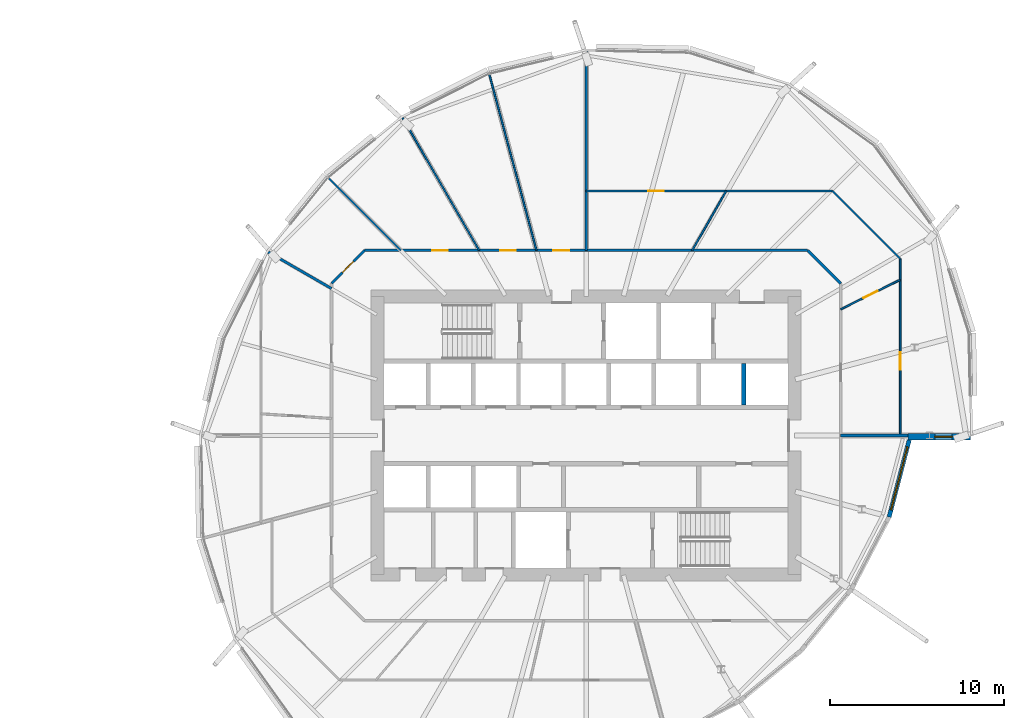
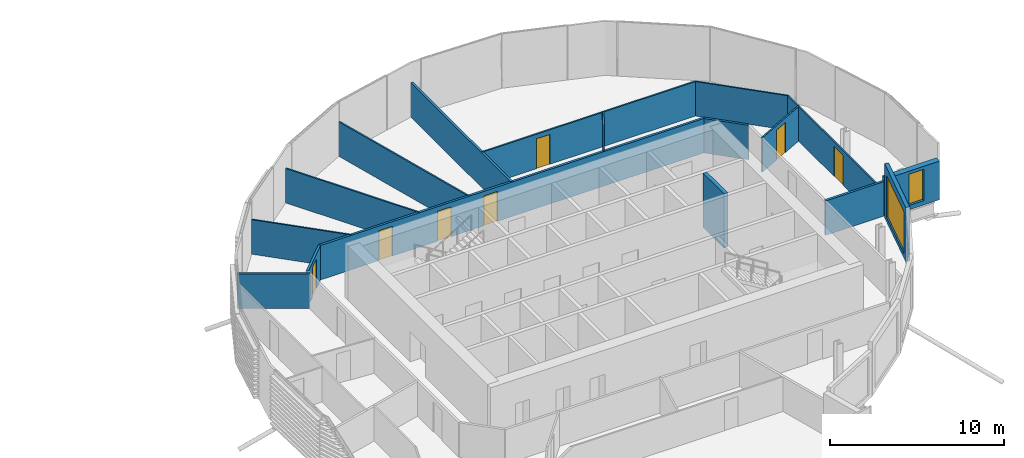
# One storey, part 25 of 39: 17 walls, 7 doors, 2 windows, 9 openings.
"""IFC4 building model written with IfcOpenShell, lengths in metres."""

import ifcopenshell
import ifcopenshell.guid

model = None  # the IFC model being written
_history = None  # IfcOwnerHistory: only IFC2X3 demands one
_inside = {}  # id of a spatial element -> (the spatial element, [elements in it])
_under = {}  # id of a project, library or spatial element -> (it, [spatial elements below it])
_declared = {}  # id of a project -> (the project, [libraries it declares])
_typed = {}  # id of a type object -> (the type object, [elements of that type])
_made_of = {}  # id of a material, layer set ... -> (it, [elements and type objects made of it])


def new_model(schema):
    """Start an empty IFC model of exactly this schema.

    Asked for "IFC4X3", IfcOpenShell would pick the latest addendum, in which some entities
    have other attributes; the version numbers below select the first issue.
    IFC2X3 requires an IfcOwnerHistory on every rooted entity: one is made here for all.
    """
    global model, _history
    if schema == "IFC4X3":
        model = ifcopenshell.file(schema_version=(4, 3, 0, 0))
    else:
        model = ifcopenshell.file(schema=schema)
    _inside.clear()
    _under.clear()
    _declared.clear()
    _typed.clear()
    _made_of.clear()
    _history = None
    if model.schema == "IFC2X3":
        org = make("IfcOrganization", Name="unknown")
        user = make(
            "IfcPersonAndOrganization",
            ThePerson=make("IfcPerson", FamilyName="unknown"),
            TheOrganization=org,
        )
        app = make(
            "IfcApplication",
            ApplicationDeveloper=org,
            Version="unknown",
            ApplicationFullName="unknown",
            ApplicationIdentifier="unknown",
        )
        _history = make(
            "IfcOwnerHistory",
            OwningUser=user,
            OwningApplication=app,
            ChangeAction="ADDED",
            CreationDate=0,
        )
    return model


def make(cls, **values):
    """One entity of the class cls with the attributes given. An attribute that is None is left unset."""
    return model.create_entity(
        cls, **{name: value for name, value in values.items() if value is not None}
    )


def rooted(cls, **values):
    """An entity with a GlobalId (a new one), such as an element, a storey or a relation."""
    return make(cls, GlobalId=ifcopenshell.guid.new(), OwnerHistory=_history, **values)


def si_unit(unit_type, name, prefix=None):
    """IfcSIUnit, for example si_unit("LENGTHUNIT", "METRE", prefix="MILLI")."""
    return make("IfcSIUnit", UnitType=unit_type, Prefix=prefix, Name=name)


def assignment(units):
    """IfcUnitAssignment: the units of a project."""
    return None if units is None else make("IfcUnitAssignment", Units=units)


def point(xyz):
    """IfcCartesianPoint."""
    return None if xyz is None else make("IfcCartesianPoint", Coordinates=xyz)


def direction(xyz):
    """IfcDirection."""
    return None if xyz is None else make("IfcDirection", DirectionRatios=xyz)


def frame(location, z_axis=None, x_axis=None):
    """IfcAxis2Placement3D, a coordinate frame: its origin and axes. An axis left out is left unset."""
    return make(
        "IfcAxis2Placement3D",
        Location=point(location),
        Axis=direction(z_axis),
        RefDirection=direction(x_axis),
    )


def frame_2d(location, x_axis=None):
    """IfcAxis2Placement2D, a coordinate frame in the plane: its origin and x axis."""
    return make(
        "IfcAxis2Placement2D", Location=point(location), RefDirection=direction(x_axis)
    )


def origin():
    """The frame at (0, 0, 0) with its axes left unset."""
    return frame((0.0, 0.0, 0.0))


def place(relative_to, where):
    """IfcLocalPlacement: puts the frame where relative to a parent placement (None: the world)."""
    return make(
        "IfcLocalPlacement", PlacementRelTo=relative_to, RelativePlacement=where
    )


def context(
    kind, dimensions, precision=None, world=None, true_north=None, identifier=None
):
    """IfcGeometricRepresentationContext, for example the 3D "Model" context."""
    return make(
        "IfcGeometricRepresentationContext",
        ContextIdentifier=identifier,
        ContextType=kind,
        CoordinateSpaceDimension=dimensions,
        Precision=precision,
        WorldCoordinateSystem=world,
        TrueNorth=true_north,
    )


def subcontext(parent, identifier, kind, view, scale=None):
    """IfcGeometricRepresentationSubContext, for example "Body" below "Model"."""
    return make(
        "IfcGeometricRepresentationSubContext",
        ContextIdentifier=identifier,
        ContextType=kind,
        ParentContext=parent,
        TargetScale=scale,
        TargetView=view,
    )


def project(units=None, contexts=None):
    """IfcProject with its units and contexts."""
    return rooted(
        "IfcProject",
        Name="project",
        RepresentationContexts=contexts,
        UnitsInContext=assignment(units),
    )


def spatial(cls, under=None, at=None, **own):
    """A site, building, storey or space (cls), placed at a placement, below another one or the project."""
    s = rooted(cls, ObjectPlacement=at, **own)
    if under is not None:
        _under.setdefault(under.id(), (under, []))[1].append(s)
    return s


def profile(cls, at=None, kind="AREA", **sizes):
    """A parametric profile (cls). Its sizes go by their IFC names, for example OverallWidth=200.0."""
    return make(cls, ProfileType=kind, Position=at, **sizes)


def rectangle(**sizes):
    """IfcRectangleProfileDef."""
    return profile("IfcRectangleProfileDef", **sizes)


def extrude(swept, where, along, depth):
    """IfcExtrudedAreaSolid: the profile swept, set in the frame where, extruded along a direction by depth."""
    return make(
        "IfcExtrudedAreaSolid",
        SweptArea=swept,
        Position=where,
        ExtrudedDirection=direction(along),
        Depth=depth,
    )


def shape(context_of_items, identifier, shape_type, items):
    """IfcShapeRepresentation: the items that make up one representation, for example the "Body"."""
    return make(
        "IfcShapeRepresentation",
        ContextOfItems=context_of_items,
        RepresentationIdentifier=identifier,
        RepresentationType=shape_type,
        Items=items,
    )


def material(Name=None, Category=None):
    """IfcMaterial."""
    return make("IfcMaterial", Name=Name, Category=Category)


def layer(
    of_material, thickness, ventilated=None, Name=None, Category=None, Priority=None
):
    """IfcMaterialLayer: one layer of a wall or slab, of a material (None: an air gap)."""
    return make(
        "IfcMaterialLayer",
        Material=of_material,
        LayerThickness=thickness,
        IsVentilated=ventilated,
        Name=Name,
        Category=Category,
        Priority=Priority,
    )


def layer_set(layers, Name=None):
    """IfcMaterialLayerSet."""
    return make("IfcMaterialLayerSet", MaterialLayers=layers, LayerSetName=Name)


def made_of(thing, what):
    """Note that an element or type object is made of a material, layer set ...; save() writes the relation."""
    if what is not None:
        _made_of.setdefault(what.id(), (what, []))[1].append(thing)
    return thing


def type_object(cls, material=None, **own):
    """A type object (cls), such as IfcWallType, which elements share."""
    return made_of(rooted(cls, **own), material)


def element(
    cls,
    number,
    at=None,
    inside=None,
    cuts=None,
    type_object=None,
    material=None,
    context=None,
    identifier="Body",
    shape_type=None,
    held_by="IfcProductDefinitionShape",
    body=None,
    shapes=None,
    **own,
):
    """One element of the class cls, such as IfcWall. Its Tag is "e" and its number.

    at: its placement. inside: the storey or other place that contains it. cuts: it is an
    opening in that element (IfcRelVoidsElement). A single representation is given by context,
    identifier, shape_type and body (its items); several are given by shapes. held_by: the class
    of the entity that holds the representations. save() writes the other relations.
    """
    e = rooted(cls, Tag="e%d" % number, ObjectPlacement=at, **own)
    if body is not None:
        shapes = [shape(context, identifier, shape_type, body)]
    if shapes is not None:
        e.Representation = make(held_by, Representations=shapes)
    if inside is not None:
        _inside.setdefault(inside.id(), (inside, []))[1].append(e)
    if cuts is not None:
        rooted(
            "IfcRelVoidsElement", RelatingBuildingElement=cuts, RelatedOpeningElement=e
        )
    if type_object is not None:
        _typed.setdefault(type_object.id(), (type_object, []))[1].append(e)
    return made_of(e, material)


def fill(opening, filler):
    """IfcRelFillsElement: the door or window that sits in an opening."""
    return rooted(
        "IfcRelFillsElement",
        RelatingOpeningElement=opening,
        RelatedBuildingElement=filler,
    )


def aggregate(whole, parts):
    """IfcRelAggregates: a whole, such as a stair, and the parts it consists of."""
    return rooted("IfcRelAggregates", RelatingObject=whole, RelatedObjects=parts)


def save(model, path):
    """Write the relations noted so far, then the file.

    IfcRelAggregates (storeys below a building ...), IfcRelContainedInSpatialStructure (elements
    in a storey), IfcRelDefinesByType, IfcRelAssociatesMaterial and IfcRelDeclares: one each for
    every whole, place, type object, material and project.
    """
    for whole, parts in _under.values():
        aggregate(whole, parts)
    for where, things in _inside.values():
        rooted(
            "IfcRelContainedInSpatialStructure",
            RelatedElements=things,
            RelatingStructure=where,
        )
    for kind, things in _typed.values():
        rooted("IfcRelDefinesByType", RelatedObjects=things, RelatingType=kind)
    for what, things in _made_of.values():
        rooted("IfcRelAssociatesMaterial", RelatedObjects=things, RelatingMaterial=what)
    for by, libraries in _declared.values():
        rooted("IfcRelDeclares", RelatingContext=by, RelatedDefinitions=libraries)
    model.write(path)


model = new_model("IFC4")

# Units and contexts
model_context = context("Model", 3, precision=1e-05, world=origin(), true_north=direction((0.0, 1.0)))
body_context = subcontext(model_context, "Body", "Model", "MODEL_VIEW")
ifc_project = project(units=[si_unit("LENGTHUNIT", "METRE"), si_unit("AREAUNIT", "SQUARE_METRE"), si_unit("VOLUMEUNIT", "CUBIC_METRE"), si_unit("PLANEANGLEUNIT", "RADIAN"), si_unit("MASSUNIT", "GRAM", prefix="KILO")], contexts=[model_context])

# Site, building, storey
site_placement = place(None, origin())
site = spatial("IfcSite", under=ifc_project, at=site_placement, CompositionType="ELEMENT")
building_placement = place(site_placement, origin())
building = spatial("IfcBuilding", under=site, at=building_placement, Name="Rimbun Link Towers", CompositionType="ELEMENT")
storey_placement = place(building_placement, frame((0.0, 0.0, 96.800048828125)))
storey = spatial("IfcBuildingStorey", under=building, at=storey_placement, Name="L23", CompositionType="ELEMENT", Elevation=96.800048828125)

# Wall, opening, window
ifc_material_1 = material(Name="Dark enamelled glass spandrel on insulated aluminium backpan", Category="aluminium")
ifc_layer_1 = layer(ifc_material_1, 0.25)
ifc_layer_set_1 = layer_set([ifc_layer_1], Name="CS dark enamelled spandrel wall 250")
wall_type_1 = type_object("IfcWallType", Name="CS dark enamelled spandrel wall 250", PredefinedType="STANDARD", material=ifc_layer_set_1)
wall_1_placement = place(storey_placement, frame((50.343017578125, -0.25, 0.0), z_axis=(0.0, 0.0, 1.0), x_axis=(-0.252335175564, -0.967639891268, 0.0)))
wall_1 = element("IfcWall", 1, at=wall_1_placement, inside=storey, type_object=wall_type_1, Name="Crease spandrel wall", PredefinedType="STANDARD", context=body_context, shape_type="SweptSolid", body=[
    extrude(rectangle(XDim=4.584228515625, YDim=0.25, at=frame_2d((2.2919921875, 0.0))), origin(), (0.0, 0.0, 1.0), 3.800048828125),
])
opening_1_placement = place(wall_1_placement, frame((0.4169921875, 0.0, 0.300048828125)))
opening_1 = element("IfcOpeningElement", 2, at=opening_1_placement, cuts=wall_1, Name="Opening WR38H295", PredefinedType="OPENING", context=body_context, shape_type="SweptSolid", body=[
    extrude(rectangle(XDim=3.75, YDim=2.949951171875, at=frame_2d((1.875, 1.47509765625))), frame((0.0, 0.135009765625, 0.0), z_axis=(0.0, -1.0, 0.0), x_axis=(1.0, 0.0, 0.0)), (0.0, 0.0, 1.0), 0.27001953125),
])
ifc_material_2 = material(Name="Aluminium framed fixed window, dark tinted low-e glass", Category="aluminium")
window_type_1 = type_object("IfcWindowType", Name="WR ribbon window 3750X2950", PartitioningType="SINGLE_PANEL", PredefinedType="WINDOW", material=ifc_material_2)
window_1_placement = place(opening_1_placement, origin())
window_1 = element("IfcWindow", 3, at=window_1_placement, inside=storey, type_object=window_type_1, Name="Crease ribbon window", OverallHeight=2.949951171875, OverallWidth=3.75, PartitioningType="SINGLE_PANEL", PredefinedType="WINDOW", context=body_context, shape_type="SweptSolid", body=[
    extrude(rectangle(XDim=3.75, YDim=2.949951171875, at=frame_2d((1.875, 1.47509765625))), frame((0.0, 0.030029296875, 0.0), z_axis=(0.0, -1.0, 0.0), x_axis=(1.0, 0.0, 0.0)), (0.0, 0.0, 1.0), 0.06005859375),
])
fill(opening_1, window_1)

ifc_material_3 = material(Name="Dark enamelled glass spandrel on insulated aluminium backpan", Category="aluminium")
ifc_layer_2 = layer(ifc_material_3, 0.3701171875)
ifc_layer_set_2 = layer_set([ifc_layer_2], Name="CS dark enamelled spandrel wall 370")
wall_type_2 = type_object("IfcWallType", Name="CS dark enamelled spandrel wall 370", PredefinedType="STANDARD", material=ifc_layer_set_2)
wall_2_placement = place(storey_placement, frame((53.85888671875, -0.06494140625, 0.0), z_axis=(0.0, 0.0, 1.0), x_axis=(-1.0, 0.0, 0.0)))
wall_2 = element("IfcWall", 4, at=wall_2_placement, inside=storey, type_object=wall_type_2, Name="Crease spandrel wall", PredefinedType="STANDARD", context=body_context, shape_type="SweptSolid", body=[
    extrude(rectangle(XDim=3.579833984375, YDim=0.3701171875, at=frame_2d((1.7900390625, 0.0))), origin(), (0.0, 0.0, 1.0), 2.711669921875),
])
opening_2_placement = place(wall_2_placement, frame((1.043701171875, 0.0, 0.300048828125)))
opening_2 = element("IfcOpeningElement", 5, at=opening_2_placement, cuts=wall_2, Name="Opening WR10H220", PredefinedType="OPENING", context=body_context, shape_type="SweptSolid", body=[
    extrude(rectangle(XDim=1.0, YDim=2.199951171875, at=frame_2d((0.5, 1.10009765625))), frame((0.0, 0.195068359375, 0.0), z_axis=(0.0, -1.0, 0.0), x_axis=(1.0, 0.0, 0.0)), (0.0, 0.0, 1.0), 0.39013671875),
])
ifc_material_4 = material(Name="Aluminium framed fixed window, dark tinted low-e glass", Category="aluminium")
window_type_2 = type_object("IfcWindowType", Name="WR ribbon window 1000X2200", PartitioningType="SINGLE_PANEL", PredefinedType="WINDOW", material=ifc_material_4)
window_2_placement = place(opening_2_placement, origin())
window_2 = element("IfcWindow", 6, at=window_2_placement, inside=storey, type_object=window_type_2, Name="Crease ribbon window", OverallHeight=2.199951171875, OverallWidth=1.0, PartitioningType="SINGLE_PANEL", PredefinedType="WINDOW", context=body_context, shape_type="SweptSolid", body=[
    extrude(rectangle(XDim=1.0, YDim=2.199951171875, at=frame_2d((0.5, 1.10009765625))), frame((0.0, 0.030029296875, 0.0), z_axis=(0.0, -1.0, 0.0), x_axis=(1.0, 0.0, 0.0)), (0.0, 0.0, 1.0), 0.06005859375),
])
fill(opening_2, window_2)

# Wall, openings, doors
ifc_material_5 = material(Name="Plasterboard on steel stud, mineral wool", Category="steel")
ifc_layer_3 = layer(ifc_material_5, 0.14990234375)
ifc_layer_set_3 = layer_set([ifc_layer_3], Name="Corridor wall EI 30 150 mm")
wall_type_3 = type_object("IfcWallType", Name="Corridor wall EI 30 150 mm", PredefinedType="PARTITIONING", material=ifc_layer_set_3)
wall_3_placement = place(storey_placement, frame((18.998291015625, 10.64990234375, 0.0), z_axis=(0.0, 0.0, 1.0), x_axis=(1.0, 0.0, 0.0)))
wall_3 = element("IfcWall", 7, at=wall_3_placement, inside=storey, type_object=wall_type_3, Name="Corridor wall EI 30 150 mm", PredefinedType="PARTITIONING", context=body_context, shape_type="SweptSolid", body=[
    extrude(rectangle(XDim=25.50341796875, YDim=0.14990234375, at=frame_2d((12.751708984375, 0.0))), origin(), (0.0, 0.0, 1.0), 2.419921875),
])
opening_3_placement = place(wall_3_placement, frame((10.875, 0.0, 0.0)))
opening_3 = element("IfcOpeningElement", 8, at=opening_3_placement, cuts=wall_3, Name="Opening D02", PredefinedType="OPENING", context=body_context, shape_type="SweptSolid", body=[
    extrude(rectangle(XDim=0.89990234375, YDim=2.10009765625, at=frame_2d((0.449951171875, 1.050048828125))), frame((0.0, 0.0849609375, 0.0), z_axis=(0.0, -1.0, 0.0), x_axis=(1.0, 0.0, 0.0)), (0.0, 0.0, 1.0), 0.169921875),
])
opening_4_placement = place(wall_3_placement, frame((7.800537109375, 0.0, 0.0)))
opening_4 = element("IfcOpeningElement", 9, at=opening_4_placement, cuts=wall_3, Name="Opening D02", PredefinedType="OPENING", context=body_context, shape_type="SweptSolid", body=[
    extrude(rectangle(XDim=0.89990234375, YDim=2.10009765625, at=frame_2d((0.449951171875, 1.050048828125))), frame((0.0, 0.0849609375, 0.0), z_axis=(0.0, -1.0, 0.0), x_axis=(1.0, 0.0, 0.0)), (0.0, 0.0, 1.0), 0.169921875),
])
opening_5_placement = place(wall_3_placement, frame((3.90234375, 0.0, 0.0)))
opening_5 = element("IfcOpeningElement", 10, at=opening_5_placement, cuts=wall_3, Name="Opening D02", PredefinedType="OPENING", context=body_context, shape_type="SweptSolid", body=[
    extrude(rectangle(XDim=0.89990234375, YDim=2.10009765625, at=frame_2d((0.449951171875, 1.050048828125))), frame((0.0, 0.0849609375, 0.0), z_axis=(0.0, -1.0, 0.0), x_axis=(1.0, 0.0, 0.0)), (0.0, 0.0, 1.0), 0.169921875),
])
ifc_material_6 = material(Name="Fire-resisting timber door leaf", Category="wood")
door_type_1 = type_object("IfcDoorType", Name="Fire door FD30S 900", OperationType="NOTDEFINED", PredefinedType="DOOR", material=ifc_material_6)
door_1_placement = place(opening_3_placement, origin())
door_1 = element("IfcDoor", 11, at=door_1_placement, inside=storey, type_object=door_type_1, Name="Fire door FD30S 900 to Cellular office", OperationType="SINGLE_SWING_RIGHT", OverallHeight=2.10009765625, OverallWidth=0.89990234375, PredefinedType="DOOR", context=body_context, shape_type="SweptSolid", body=[
    extrude(rectangle(XDim=0.89990234375, YDim=2.10009765625, at=frame_2d((0.449951171875, 1.050048828125))), frame((0.0, 0.02490234375, 0.0), z_axis=(0.0, -1.0, 0.0), x_axis=(1.0, 0.0, 0.0)), (0.0, 0.0, 1.0), 0.050048828125),
])
fill(opening_3, door_1)
door_2_placement = place(opening_4_placement, origin())
door_2 = element("IfcDoor", 12, at=door_2_placement, inside=storey, type_object=door_type_1, Name="Fire door FD30S 900 to Cellular office", OperationType="SINGLE_SWING_LEFT", OverallHeight=2.10009765625, OverallWidth=0.89990234375, PredefinedType="DOOR", context=body_context, shape_type="SweptSolid", body=[
    extrude(rectangle(XDim=0.89990234375, YDim=2.10009765625, at=frame_2d((0.449951171875, 1.050048828125))), frame((0.0, 0.02490234375, 0.0), z_axis=(0.0, -1.0, 0.0), x_axis=(1.0, 0.0, 0.0)), (0.0, 0.0, 1.0), 0.050048828125),
])
fill(opening_4, door_2)
door_3_placement = place(opening_5_placement, origin())
door_3 = element("IfcDoor", 13, at=door_3_placement, inside=storey, type_object=door_type_1, Name="Fire door FD30S 900 to Cellular office", OperationType="SINGLE_SWING_RIGHT", OverallHeight=2.10009765625, OverallWidth=0.89990234375, PredefinedType="DOOR", context=body_context, shape_type="SweptSolid", body=[
    extrude(rectangle(XDim=0.89990234375, YDim=2.10009765625, at=frame_2d((0.449951171875, 1.050048828125))), frame((0.0, 0.02490234375, 0.0), z_axis=(0.0, -1.0, 0.0), x_axis=(1.0, 0.0, 0.0)), (0.0, 0.0, 1.0), 0.050048828125),
])
fill(opening_5, door_3)

# Wall
wall_4_placement = place(storey_placement, frame((46.39990234375, 8.751708984375, 0.0), z_axis=(0.0, 0.0, 1.0), x_axis=(-0.707106781187, 0.707106781187, 0.0)))
element("IfcWall", 14, at=wall_4_placement, inside=storey, type_object=wall_type_3, Name="Corridor wall EI 30 150 mm", PredefinedType="PARTITIONING", context=body_context, shape_type="SweptSolid", body=[
    extrude(rectangle(XDim=2.6845703125, YDim=0.14990234375, at=frame_2d((1.34228515625, 0.0))), origin(), (0.0, 0.0, 1.0), 2.419921875),
])

# Wall, opening, door
wall_5_placement = place(storey_placement, frame((17.10009765625, 8.751708984375, 0.0), z_axis=(0.0, 0.0, 1.0), x_axis=(0.707106781187, 0.707106781187, 0.0)))
wall_5 = element("IfcWall", 15, at=wall_5_placement, inside=storey, type_object=wall_type_3, Name="Corridor wall EI 30 150 mm", PredefinedType="PARTITIONING", context=body_context, shape_type="SweptSolid", body=[
    extrude(rectangle(XDim=2.6845703125, YDim=0.14990234375, at=frame_2d((1.34228515625, 0.0))), origin(), (0.0, 0.0, 1.0), 2.419921875),
])
opening_6_placement = place(wall_5_placement, frame((0.892333984375, 0.0, 0.0)))
opening_6 = element("IfcOpeningElement", 16, at=opening_6_placement, cuts=wall_5, Name="Opening D02", PredefinedType="OPENING", context=body_context, shape_type="SweptSolid", body=[
    extrude(rectangle(XDim=0.89990234375, YDim=2.10009765625, at=frame_2d((0.449951171875, 1.050048828125))), frame((0.0, 0.0849609375, 0.0), z_axis=(0.0, -1.0, 0.0), x_axis=(1.0, 0.0, 0.0)), (0.0, 0.0, 1.0), 0.169921875),
])
door_4_placement = place(opening_6_placement, origin())
door_4 = element("IfcDoor", 17, at=door_4_placement, inside=storey, type_object=door_type_1, Name="Fire door FD30S 900 to Meeting room", OperationType="SINGLE_SWING_LEFT", OverallHeight=2.10009765625, OverallWidth=0.89990234375, PredefinedType="DOOR", context=body_context, shape_type="SweptSolid", body=[
    extrude(rectangle(XDim=0.89990234375, YDim=2.10009765625, at=frame_2d((0.449951171875, 1.050048828125))), frame((0.0, 0.02490234375, 0.0), z_axis=(0.0, -1.0, 0.0), x_axis=(1.0, 0.0, 0.0)), (0.0, 0.0, 1.0), 0.050048828125),
])
fill(opening_6, door_4)

ifc_material_7 = material(Name="Plasterboard on steel stud", Category="steel")
ifc_layer_4 = layer(ifc_material_7, 0.10009765625)
ifc_layer_set_4 = layer_set([ifc_layer_4], Name="Plasterboard partition 100 mm")
wall_type_4 = type_object("IfcWallType", Name="Plasterboard partition 100 mm", PredefinedType="PARTITIONING", material=ifc_layer_set_4)
wall_6_placement = place(storey_placement, frame((46.39990234375, 7.265380859375, 0.0), z_axis=(0.0, 0.0, 1.0), x_axis=(0.895918685322, 0.444218087533, 0.0)))
wall_6 = element("IfcWall", 18, at=wall_6_placement, inside=storey, type_object=wall_type_4, Name="Plasterboard partition 100 mm", PredefinedType="PARTITIONING", context=body_context, shape_type="SweptSolid", body=[
    extrude(rectangle(XDim=3.8173828125, YDim=0.10009765625, at=frame_2d((1.90869140625, 0.0))), origin(), (0.0, 0.0, 1.0), 2.419921875),
])
opening_7_placement = place(wall_6_placement, frame((1.458740234375, 0.0, 0.0)))
opening_7 = element("IfcOpeningElement", 19, at=opening_7_placement, cuts=wall_6, Name="Opening D04", PredefinedType="OPENING", context=body_context, shape_type="SweptSolid", body=[
    extrude(rectangle(XDim=0.89990234375, YDim=2.10009765625, at=frame_2d((0.449951171875, 1.050048828125))), frame((0.0, 0.06005859375, 0.0), z_axis=(0.0, -1.0, 0.0), x_axis=(1.0, 0.0, 0.0)), (0.0, 0.0, 1.0), 0.1201171875),
])
ifc_material_8 = material(Name="Timber door leaf", Category="wood")
door_type_2 = type_object("IfcDoorType", Name="Flush door 900", OperationType="NOTDEFINED", PredefinedType="DOOR", material=ifc_material_8)
door_5_placement = place(opening_7_placement, origin())
door_5 = element("IfcDoor", 20, at=door_5_placement, inside=storey, type_object=door_type_2, Name="Flush door 900 to Meeting room", OperationType="SINGLE_SWING_LEFT", OverallHeight=2.10009765625, OverallWidth=0.89990234375, PredefinedType="DOOR", context=body_context, shape_type="SweptSolid", body=[
    extrude(rectangle(XDim=0.89990234375, YDim=2.10009765625, at=frame_2d((0.449951171875, 1.050048828125))), frame((0.0, 0.02490234375, 0.0), z_axis=(0.0, -1.0, 0.0), x_axis=(1.0, 0.0, 0.0)), (0.0, 0.0, 1.0), 0.050048828125),
])
fill(opening_7, door_5)

wall_7_placement = place(storey_placement, frame((49.820068359375, 10.168212890625, 0.0), z_axis=(0.0, 0.0, 1.0), x_axis=(0.0, -1.0, 0.0)))
wall_7 = element("IfcWall", 21, at=wall_7_placement, inside=storey, type_object=wall_type_4, Name="Plasterboard partition 100 mm", PredefinedType="PARTITIONING", context=body_context, shape_type="SweptSolid", body=[
    extrude(rectangle(XDim=10.168212890625, YDim=0.10009765625, at=frame_2d((5.083984375, 0.0))), origin(), (0.0, 0.0, 1.0), 2.419921875),
])
opening_8_placement = place(wall_7_placement, frame((5.372802734375, 0.0, 0.0)))
opening_8 = element("IfcOpeningElement", 22, at=opening_8_placement, cuts=wall_7, Name="Opening D03", PredefinedType="OPENING", context=body_context, shape_type="SweptSolid", body=[
    extrude(rectangle(XDim=1.0, YDim=2.10009765625, at=frame_2d((0.5, 1.050048828125))), frame((0.0, 0.06005859375, 0.0), z_axis=(0.0, -1.0, 0.0), x_axis=(1.0, 0.0, 0.0)), (0.0, 0.0, 1.0), 0.1201171875),
])
ifc_material_9 = material(Name="Timber door leaf", Category="wood")
door_type_3 = type_object("IfcDoorType", Name="Flush door 1000", OperationType="NOTDEFINED", PredefinedType="DOOR", material=ifc_material_9)
door_6_placement = place(opening_8_placement, origin())
door_6 = element("IfcDoor", 23, at=door_6_placement, inside=storey, type_object=door_type_3, Name="Flush door 1000 to Open office", OperationType="SINGLE_SWING_RIGHT", OverallHeight=2.10009765625, OverallWidth=1.0, PredefinedType="DOOR", context=body_context, shape_type="SweptSolid", body=[
    extrude(rectangle(XDim=1.0, YDim=2.10009765625, at=frame_2d((0.5, 1.050048828125))), frame((0.0, 0.02490234375, 0.0), z_axis=(0.0, -1.0, 0.0), x_axis=(1.0, 0.0, 0.0)), (0.0, 0.0, 1.0), 0.050048828125),
])
fill(opening_8, door_6)

# Wall
wall_8_placement = place(storey_placement, frame((39.81201171875, 14.070068359375, 0.0), z_axis=(0.0, 0.0, 1.0), x_axis=(-0.497159107965, -0.867659392485, 0.0)))
element("IfcWall", 24, at=wall_8_placement, inside=storey, type_object=wall_type_4, Name="Plasterboard partition 100 mm", PredefinedType="PARTITIONING", context=body_context, shape_type="SweptSolid", body=[
    extrude(rectangle(XDim=3.94189453125, YDim=0.10009765625, at=frame_2d((1.970947265625, 0.0))), origin(), (0.0, 0.0, 1.0), 2.419921875),
])

# Wall, opening, door
wall_9_placement = place(storey_placement, frame((45.918212890625, 14.070068359375, 0.0), z_axis=(0.0, 0.0, 1.0), x_axis=(-1.0, 0.0, 0.0)))
wall_9 = element("IfcWall", 25, at=wall_9_placement, inside=storey, type_object=wall_type_4, Name="Plasterboard partition 100 mm", PredefinedType="PARTITIONING", context=body_context, shape_type="SweptSolid", body=[
    extrude(rectangle(XDim=14.168212890625, YDim=0.10009765625, at=frame_2d((7.083984375, 0.0))), origin(), (0.0, 0.0, 1.0), 2.419921875),
])
opening_9_placement = place(wall_9_placement, frame((9.687255859375, 0.0, 0.0)))
opening_9 = element("IfcOpeningElement", 26, at=opening_9_placement, cuts=wall_9, Name="Opening D04", PredefinedType="OPENING", context=body_context, shape_type="SweptSolid", body=[
    extrude(rectangle(XDim=0.89990234375, YDim=2.10009765625, at=frame_2d((0.449951171875, 1.050048828125))), frame((0.0, 0.06005859375, 0.0), z_axis=(0.0, -1.0, 0.0), x_axis=(1.0, 0.0, 0.0)), (0.0, 0.0, 1.0), 0.1201171875),
])
door_7_placement = place(opening_9_placement, origin())
door_7 = element("IfcDoor", 27, at=door_7_placement, inside=storey, type_object=door_type_2, Name="Flush door 900 to Print room", OperationType="SINGLE_SWING_RIGHT", OverallHeight=2.10009765625, OverallWidth=0.89990234375, PredefinedType="DOOR", context=body_context, shape_type="SweptSolid", body=[
    extrude(rectangle(XDim=0.89990234375, YDim=2.10009765625, at=frame_2d((0.449951171875, 1.050048828125))), frame((0.0, 0.02490234375, 0.0), z_axis=(0.0, -1.0, 0.0), x_axis=(1.0, 0.0, 0.0)), (0.0, 0.0, 1.0), 0.050048828125),
])
fill(opening_9, door_7)

# Walls
wall_10_placement = place(storey_placement, frame((49.820068359375, 10.168212890625, 0.0), z_axis=(0.0, 0.0, 1.0), x_axis=(-0.707106781187, 0.707106781187, 0.0)))
element("IfcWall", 28, at=wall_10_placement, inside=storey, type_object=wall_type_4, Name="Plasterboard partition 100 mm", PredefinedType="PARTITIONING", context=body_context, shape_type="SweptSolid", body=[
    extrude(rectangle(XDim=5.51806640625, YDim=0.10009765625, at=frame_2d((2.759033203125, 0.0))), origin(), (0.0, 0.0, 1.0), 2.419921875),
])
wall_11_placement = place(storey_placement, frame((26.177490234375, 20.79638671875, 0.0), z_axis=(0.0, 0.0, 1.0), x_axis=(0.258819729531, -0.965925642897, 0.0)))
element("IfcWall", 29, at=wall_11_placement, inside=storey, type_object=wall_type_4, Name="Plasterboard partition 100 mm", PredefinedType="PARTITIONING", context=body_context, shape_type="SweptSolid", body=[
    extrude(rectangle(XDim=10.50439453125, YDim=0.10009765625, at=frame_2d((5.252197265625, 0.0))), origin(), (0.0, 0.0, 1.0), 2.419921875),
])
wall_12_placement = place(storey_placement, frame((21.189453125, 18.291259765625, 0.0), z_axis=(0.0, 0.0, 1.0), x_axis=(0.500010664886, -0.866019246322, 0.0)))
element("IfcWall", 30, at=wall_12_placement, inside=storey, type_object=wall_type_4, Name="Plasterboard partition 100 mm", PredefinedType="PARTITIONING", context=body_context, shape_type="SweptSolid", body=[
    extrude(rectangle(XDim=8.823486328125, YDim=0.10009765625, at=frame_2d((4.41162109375, 0.0))), origin(), (0.0, 0.0, 1.0), 2.419921875),
])
wall_13_placement = place(storey_placement, frame((16.9169921875, 14.8330078125, 0.0), z_axis=(0.0, 0.0, 1.0), x_axis=(0.707106781187, -0.707106781187, 0.0)))
element("IfcWall", 31, at=wall_13_placement, inside=storey, type_object=wall_type_4, Name="Plasterboard partition 100 mm", PredefinedType="PARTITIONING", context=body_context, shape_type="SweptSolid", body=[
    extrude(rectangle(XDim=5.915771484375, YDim=0.10009765625, at=frame_2d((2.9580078125, 0.0))), origin(), (0.0, 0.0, 1.0), 2.419921875),
])
ifc_material_10 = material(Name="Concrete C60/75", Category="concrete")
ifc_layer_5 = layer(ifc_material_10, 0.25)
ifc_layer_set_5 = layer_set([ifc_layer_5], Name="Shaft wall 250")
wall_type_5 = type_object("IfcWallType", Name="Shaft wall 250", PredefinedType="SHEAR", material=ifc_layer_set_5)
wall_14_placement = place(storey_placement, frame((40.83056640625, 1.75, 0.0), z_axis=(0.0, 0.0, 1.0), x_axis=(0.0, 1.0, 0.0)))
element("IfcWall", 32, at=wall_14_placement, inside=storey, type_object=wall_type_5, Name="L23 T2 core wall DN7", PredefinedType="SHEAR", context=body_context, shape_type="SweptSolid", body=[
    extrude(rectangle(XDim=2.39990234375, YDim=0.25, at=frame_2d((1.199951171875, 0.0))), origin(), (0.0, 0.0, 1.0), 3.800048828125),
])
ifc_material_11 = material(Name="Plasterboard on steel stud, mineral wool", Category="steel")
ifc_layer_6 = layer(ifc_material_11, 0.14990234375)
ifc_layer_set_6 = layer_set([ifc_layer_6], Name="Tenancy separation wall EI 60 150 mm")
wall_type_6 = type_object("IfcWallType", Name="Tenancy separation wall EI 60 150 mm", PredefinedType="PARTITIONING", material=ifc_layer_set_6)
wall_15_placement = place(storey_placement, frame((31.75, 10.64990234375, 0.0), z_axis=(0.0, 0.0, 1.0), x_axis=(0.0, 1.0, 0.0)))
element("IfcWall", 33, at=wall_15_placement, inside=storey, type_object=wall_type_6, Name="Tenancy separation wall EI 60 150 mm", PredefinedType="PARTITIONING", context=body_context, shape_type="SweptSolid", body=[
    extrude(rectangle(XDim=11.47900390625, YDim=0.14990234375, at=frame_2d((5.739501953125, 0.0))), origin(), (0.0, 0.0, 1.0), 2.419921875),
])
wall_16_placement = place(storey_placement, frame((17.10009765625, 8.458251953125, 0.0), z_axis=(0.0, 0.0, 1.0), x_axis=(-0.866029910937, 0.499992193301, 0.0)))
element("IfcWall", 34, at=wall_16_placement, inside=storey, type_object=wall_type_6, Name="Tenancy separation wall EI 60 150 mm", PredefinedType="PARTITIONING", context=body_context, shape_type="SweptSolid", body=[
    extrude(rectangle(XDim=4.20458984375, YDim=0.14990234375, at=frame_2d((2.102294921875, 0.0))), origin(), (0.0, 0.0, 1.0), 2.419921875),
])
wall_17_placement = place(storey_placement, frame((46.39990234375, 0.0, 0.0), z_axis=(0.0, 0.0, 1.0), x_axis=(1.0, 0.0, 0.0)))
element("IfcWall", 35, at=wall_17_placement, inside=storey, type_object=wall_type_6, Name="Tenancy separation wall EI 60 150 mm", PredefinedType="PARTITIONING", context=body_context, shape_type="SweptSolid", body=[
    extrude(rectangle(XDim=3.879150390625, YDim=0.14990234375, at=frame_2d((1.939453125, 0.0))), origin(), (0.0, 0.0, 1.0), 2.419921875),
])

save(model, "model.ifc")
